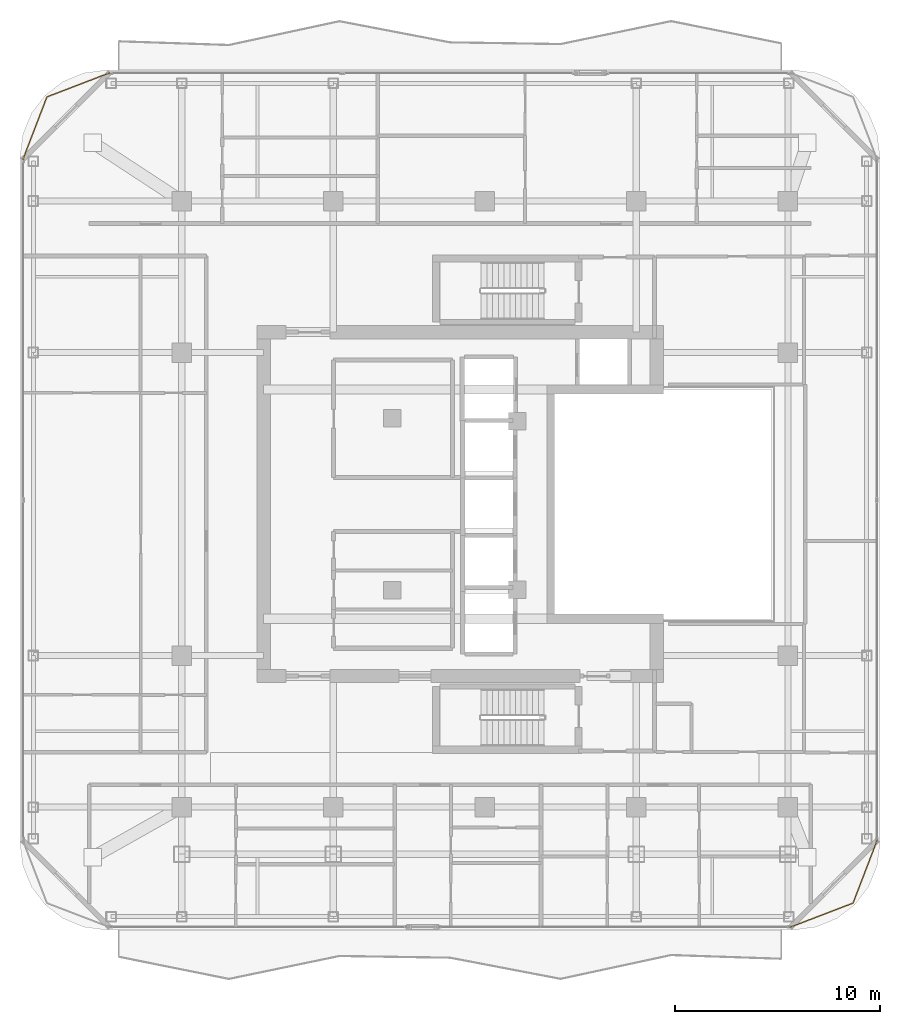
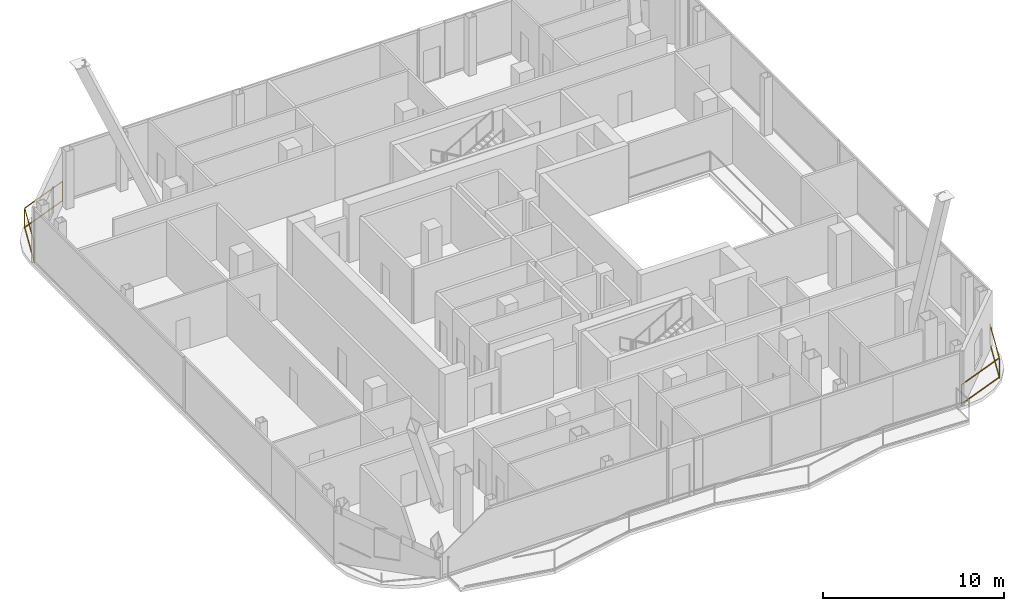
# One storey, part 23 of 24: 2 railings.
"""IFC4 building model written with IfcOpenShell, lengths in metres."""

from ifc_helpers import new_model, si_unit, direction, frame, origin, origin_2d, place, context, subcontext, project, spatial, rectangle, extrude, material, type_object, element, save


model = new_model("IFC4")

# Units and contexts
model_context = context("Model", 3, precision=1e-05, world=origin(), true_north=direction((0.0, 1.0)))
body_context = subcontext(model_context, "Body", "Model", "MODEL_VIEW")
ifc_project = project(units=[si_unit("LENGTHUNIT", "METRE"), si_unit("AREAUNIT", "SQUARE_METRE"), si_unit("VOLUMEUNIT", "CUBIC_METRE"), si_unit("PLANEANGLEUNIT", "RADIAN"), si_unit("MASSUNIT", "GRAM", prefix="KILO")], contexts=[model_context])

# Site, building, storey
site_placement = place(None, origin())
site = spatial("IfcSite", under=ifc_project, at=site_placement, CompositionType="ELEMENT")
building_placement = place(site_placement, origin())
building = spatial("IfcBuilding", under=site, at=building_placement, Name="Khorvyn Point Tower", CompositionType="ELEMENT")
storey_placement = place(building_placement, frame((0.0, 0.0, 301.5)))
storey = spatial("IfcBuildingStorey", under=building, at=storey_placement, Name="L74", CompositionType="ELEMENT", Elevation=301.5)

# Railings
ifc_material = material(Name="Anodised aluminium 6063-T6 and laminated safety glass", Category="aluminium")
railing_type = type_object("IfcRailingType", Name="Laminated Glass and Aluminium Balcony Guardrail 1400", PredefinedType="BALUSTRADE", material=ifc_material)
railing_1_placement = place(storey_placement, frame((-18.28662109375, 21.074462890625, 0.0)))
element("IfcRailing", 1, at=railing_1_placement, inside=storey, type_object=railing_type, Name="L74 Rounded Corner Edge Guardrail NW", PredefinedType="BALUSTRADE", context=body_context, shape_type="SweptSolid", body=[
    extrude(rectangle(XDim=0.048095703125, YDim=0.048095703125, at=origin_2d()), frame((0.0, 0.0, 1.3759765625), z_axis=(-0.93357103624, -0.358392411044, 0.0), x_axis=(0.358392411044, -0.93357103624, 0.0)), (0.0, 0.0, 1.0), 3.31884765625),
    extrude(rectangle(XDim=0.048095703125, YDim=0.048095703125, at=origin_2d()), frame((0.0, 0.0, 0.080078125), z_axis=(-0.93357103624, -0.358392411044, 0.0), x_axis=(0.358392411044, -0.93357103624, 0.0)), (0.0, 0.0, 1.0), 3.31884765625),
    extrude(rectangle(XDim=0.048095703125, YDim=0.048095703125, at=origin_2d()), frame((-3.098388671875, -1.189453125, 1.3759765625), z_axis=(-0.358392411044, -0.93357103624, 0.0), x_axis=(0.93357103624, -0.358392411044, 0.0)), (0.0, 0.0, 1.0), 3.31884765625),
    extrude(rectangle(XDim=0.048095703125, YDim=0.048095703125, at=origin_2d()), frame((-3.098388671875, -1.189453125, 0.080078125), z_axis=(-0.358392411044, -0.93357103624, 0.0), x_axis=(0.93357103624, -0.358392411044, 0.0)), (0.0, 0.0, 1.0), 3.31884765625),
    extrude(rectangle(XDim=0.0419921875, YDim=0.0419921875, at=origin_2d()), origin(), (0.0, 0.0, 1.0), 1.351806640625),
    extrude(rectangle(XDim=0.0419921875, YDim=0.0419921875, at=origin_2d()), frame((-3.098388671875, -1.189453125, 0.0)), (0.0, 0.0, 1.0), 1.351806640625),
    extrude(rectangle(XDim=0.0419921875, YDim=0.0419921875, at=origin_2d()), frame((-4.287841796875, -4.287841796875, 0.0)), (0.0, 0.0, 1.0), 1.351806640625),
])
railing_2_placement = place(storey_placement, frame((14.886474609375, -20.67431640625, 0.0)))
element("IfcRailing", 2, at=railing_2_placement, inside=storey, type_object=railing_type, Name="L74 Rounded Corner Edge Guardrail SE", PredefinedType="BALUSTRADE", context=body_context, shape_type="SweptSolid", body=[
    extrude(rectangle(XDim=0.048095703125, YDim=0.048095703125, at=origin_2d()), frame((0.0, 0.0, 1.3759765625), z_axis=(0.933605091831, 0.358303687544, 0.0), x_axis=(-0.358303687544, 0.933605091831, 0.0)), (0.0, 0.0, 1.0), 3.319091796875),
    extrude(rectangle(XDim=0.048095703125, YDim=0.048095703125, at=origin_2d()), frame((0.0, 0.0, 0.080078125), z_axis=(0.933605091831, 0.358303687544, 0.0), x_axis=(-0.358303687544, 0.933605091831, 0.0)), (0.0, 0.0, 1.0), 3.319091796875),
    extrude(rectangle(XDim=0.048095703125, YDim=0.048095703125, at=origin_2d()), frame((3.0986328125, 1.189208984375, 1.3759765625), z_axis=(0.358303687544, 0.933605091831, 0.0), x_axis=(-0.933605091831, 0.358303687544, 0.0)), (0.0, 0.0, 1.0), 3.319091796875),
    extrude(rectangle(XDim=0.048095703125, YDim=0.048095703125, at=origin_2d()), frame((3.0986328125, 1.189208984375, 0.080078125), z_axis=(0.358303687544, 0.933605091831, 0.0), x_axis=(-0.933605091831, 0.358303687544, 0.0)), (0.0, 0.0, 1.0), 3.319091796875),
    extrude(rectangle(XDim=0.0419921875, YDim=0.0419921875, at=origin_2d()), origin(), (0.0, 0.0, 1.0), 1.351806640625),
    extrude(rectangle(XDim=0.0419921875, YDim=0.0419921875, at=origin_2d()), frame((3.0986328125, 1.189208984375, 0.0)), (0.0, 0.0, 1.0), 1.351806640625),
    extrude(rectangle(XDim=0.0419921875, YDim=0.0419921875, at=origin_2d()), frame((4.287841796875, 4.287841796875, 0.0)), (0.0, 0.0, 1.0), 1.351806640625),
])

save(model, "model.ifc")
